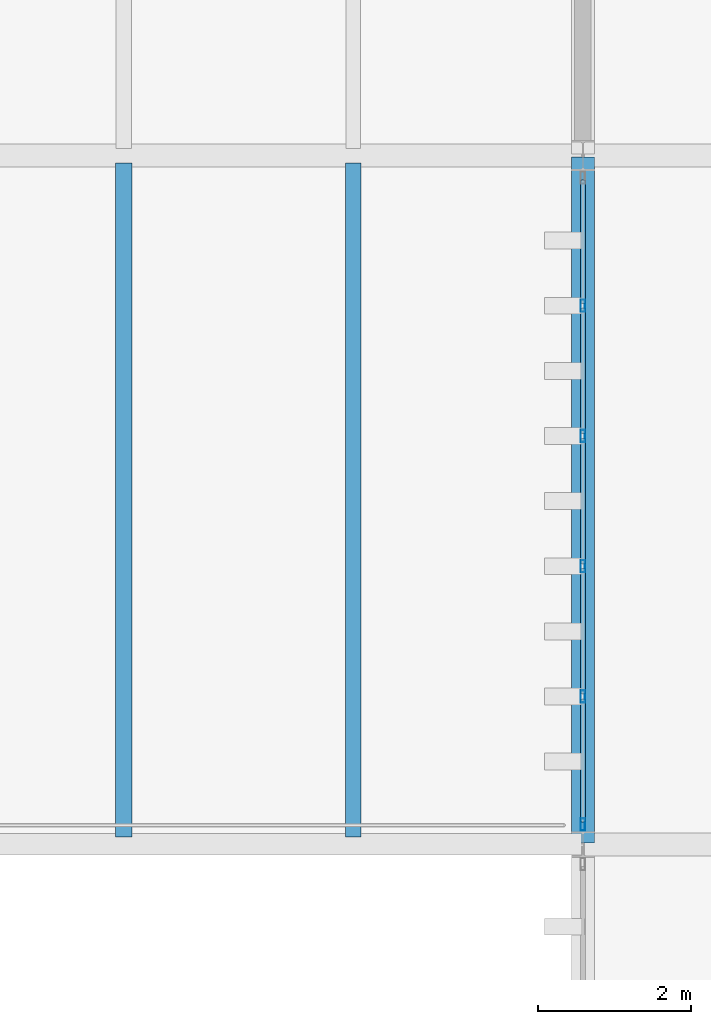
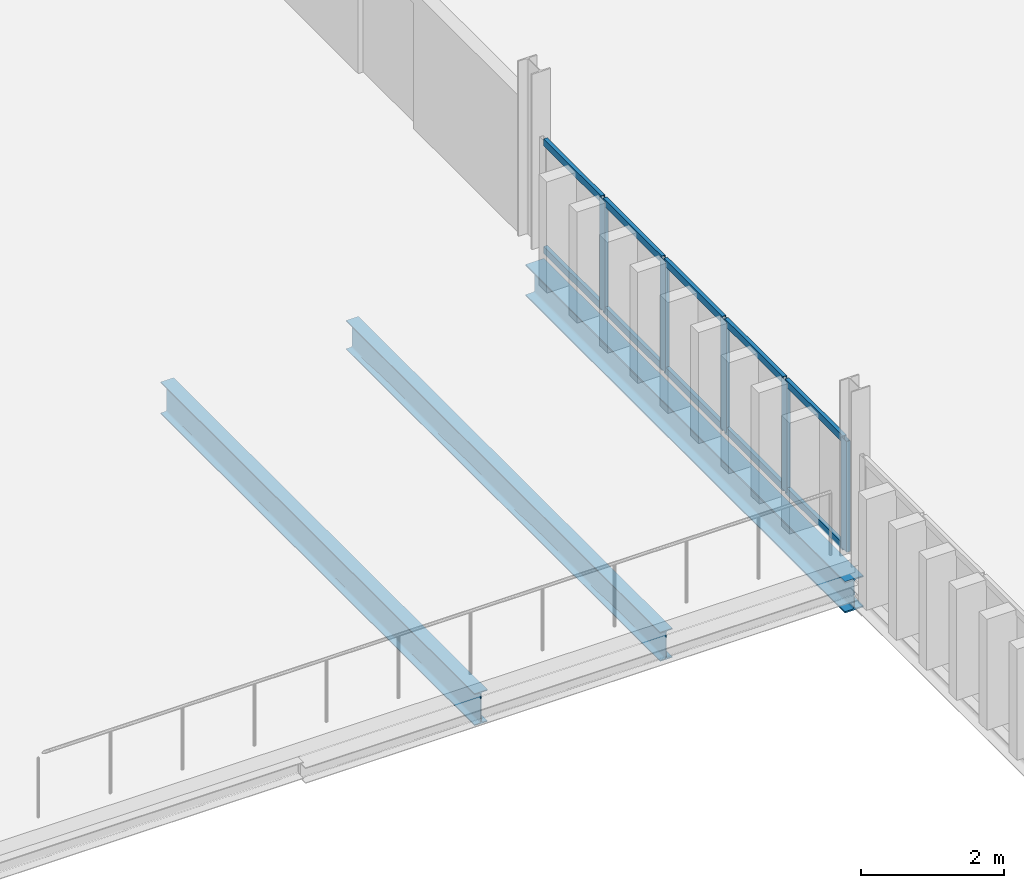
# One storey, part 15 of 58: 15 members, 3 beams, 1 element without a shape of its own.
"""IFC4 building model written with IfcOpenShell, lengths in metres."""

from ifc_helpers import new_model, si_unit, direction, frame, origin, origin_2d, place, context, subcontext, project, spatial, hollow_rectangle, i_section, extrude, material, layer, layer_set, material_profile, profile_set, type_object, element, aggregate, save


model = new_model("IFC4")

# Units and contexts
model_context = context("Model", 3, precision=1e-05, world=origin(), true_north=direction((0.0, 1.0)))
body_context = subcontext(model_context, "Body", "Model", "MODEL_VIEW")
ifc_project = project(units=[si_unit("LENGTHUNIT", "METRE"), si_unit("AREAUNIT", "SQUARE_METRE"), si_unit("VOLUMEUNIT", "CUBIC_METRE"), si_unit("PLANEANGLEUNIT", "RADIAN"), si_unit("MASSUNIT", "GRAM", prefix="KILO")], contexts=[model_context])

# Site, building, storey
site_placement = place(None, origin())
site = spatial("IfcSite", under=ifc_project, at=site_placement, CompositionType="ELEMENT")
building_placement = place(site_placement, origin())
building = spatial("IfcBuilding", under=site, at=building_placement, Name="Barlavento Convention Centre", CompositionType="ELEMENT")
storey_placement = place(building_placement, frame((0.0, 0.0, 26.800048828125)))
storey = spatial("IfcBuildingStorey", under=building, at=storey_placement, Name="L05", CompositionType="ELEMENT", Elevation=26.800048828125)

# Curtain wall, members
ifc_material_1 = material(Name="Powder-coated aluminium and Low-E glass", Category="aluminium")
ifc_layer = layer(ifc_material_1, 0.18994140625)
ifc_layer_set = layer_set([ifc_layer], Name="ARC-CW-CONF-L05")
curtain_wall_type = type_object("IfcCurtainWallType", Name="ARC-CW-CONF-L05", PredefinedType="NOTDEFINED", material=ifc_layer_set)
curtain_wall_placement = place(storey_placement, origin())
curtain_wall = element("IfcCurtainWall", 1, at=curtain_wall_placement, inside=storey, type_object=curtain_wall_type, Name="L05 unitised curtain wall CW10", PredefinedType="NOTDEFINED")
ifc_material_2 = material(Name="Powder-coated aluminium", Category="aluminium")
ifc_material_profile_1 = material_profile(ifc_material_2, hollow_rectangle(XDim=0.06005859375, YDim=0.159912109375, WallThickness=0.00390625, at=origin_2d()), Name="AL-MULL 60x160x4")
ifc_profile_set_1 = profile_set([ifc_material_profile_1], Name="Powder-coated aluminium")
member_type_1 = type_object("IfcMemberType", Name="ARC-CWM-60X160", PredefinedType="MULLION", material=ifc_profile_set_1)
member_1_placement = place(storey_placement, frame((171.0, 36.260009765625, 0.0), z_axis=(0.0, 0.0, 1.0), x_axis=(-1.0, 0.0, 0.0)))
member_1 = element("IfcMember", 2, at=member_1_placement, type_object=member_type_1, Name="CW10 mullion 1", PredefinedType="MULLION", context=body_context, shape_type="SweptSolid", body=[
    extrude(hollow_rectangle(XDim=0.06005859375, YDim=0.159912109375, WallThickness=0.00390625, at=origin_2d()), origin(), (0.0, 0.0, 1.0), 1.89990234375),
])
member_2_placement = place(storey_placement, frame((171.0, 37.931884765625, 0.0), z_axis=(0.0, 0.0, 1.0), x_axis=(-1.0, 0.0, 0.0)))
member_2 = element("IfcMember", 3, at=member_2_placement, type_object=member_type_1, Name="CW10 mullion 2", PredefinedType="MULLION", context=body_context, shape_type="SweptSolid", body=[
    extrude(hollow_rectangle(XDim=0.06005859375, YDim=0.159912109375, WallThickness=0.00390625, at=origin_2d()), origin(), (0.0, 0.0, 1.0), 1.89990234375),
])
member_3_placement = place(storey_placement, frame((171.0, 39.634033203125, 0.0), z_axis=(0.0, 0.0, 1.0), x_axis=(-1.0, 0.0, 0.0)))
member_3 = element("IfcMember", 4, at=member_3_placement, type_object=member_type_1, Name="CW10 mullion 3", PredefinedType="MULLION", context=body_context, shape_type="SweptSolid", body=[
    extrude(hollow_rectangle(XDim=0.06005859375, YDim=0.159912109375, WallThickness=0.00390625, at=origin_2d()), origin(), (0.0, 0.0, 1.0), 1.89990234375),
])
member_4_placement = place(storey_placement, frame((171.0, 41.3359375, 0.0), z_axis=(0.0, 0.0, 1.0), x_axis=(-1.0, 0.0, 0.0)))
member_4 = element("IfcMember", 5, at=member_4_placement, type_object=member_type_1, Name="CW10 mullion 4", PredefinedType="MULLION", context=body_context, shape_type="SweptSolid", body=[
    extrude(hollow_rectangle(XDim=0.06005859375, YDim=0.159912109375, WallThickness=0.00390625, at=origin_2d()), origin(), (0.0, 0.0, 1.0), 1.89990234375),
])
member_5_placement = place(storey_placement, frame((171.0, 43.0380859375, 0.0), z_axis=(0.0, 0.0, 1.0), x_axis=(-1.0, 0.0, 0.0)))
member_5 = element("IfcMember", 6, at=member_5_placement, type_object=member_type_1, Name="CW10 mullion 5", PredefinedType="MULLION", context=body_context, shape_type="SweptSolid", body=[
    extrude(hollow_rectangle(XDim=0.06005859375, YDim=0.159912109375, WallThickness=0.00390625, at=origin_2d()), origin(), (0.0, 0.0, 1.0), 1.89990234375),
])
ifc_material_profile_2 = material_profile(ifc_material_2, hollow_rectangle(XDim=0.06005859375, YDim=0.1201171875, WallThickness=0.00390625, at=origin_2d()), Name="AL-TRAN 60x120x4")
ifc_profile_set_2 = profile_set([ifc_material_profile_2], Name="Powder-coated aluminium")
member_type_2 = type_object("IfcMemberType", Name="ARC-CWT-60X120", PredefinedType="USERDEFINED", material=ifc_profile_set_2)
member_6_placement = place(storey_placement, frame((171.0, 36.2900390625, 0.030029296875), z_axis=(0.0, 1.0, 0.0), x_axis=(-1.0, 0.0, 0.0)))
member_6 = element("IfcMember", 7, at=member_6_placement, type_object=member_type_2, Name="CW10 transom 1.1", ObjectType="TRANSOM", PredefinedType="USERDEFINED", context=body_context, shape_type="SweptSolid", body=[
    extrude(hollow_rectangle(XDim=0.06005859375, YDim=0.1201171875, WallThickness=0.00390625, at=origin_2d()), origin(), (0.0, 0.0, 1.0), 1.612060546875),
])
member_7_placement = place(storey_placement, frame((171.0, 36.2900390625, 1.869873046875), z_axis=(0.0, 1.0, 0.0), x_axis=(-1.0, 0.0, 0.0)))
member_7 = element("IfcMember", 8, at=member_7_placement, type_object=member_type_2, Name="CW10 transom 1.2", ObjectType="TRANSOM", PredefinedType="USERDEFINED", context=body_context, shape_type="SweptSolid", body=[
    extrude(hollow_rectangle(XDim=0.06005859375, YDim=0.1201171875, WallThickness=0.00390625, at=origin_2d()), origin(), (0.0, 0.0, 1.0), 1.612060546875),
])
member_8_placement = place(storey_placement, frame((171.0, 37.9619140625, 0.030029296875), z_axis=(0.0, 1.0, 0.0), x_axis=(-1.0, 0.0, 0.0)))
member_8 = element("IfcMember", 9, at=member_8_placement, type_object=member_type_2, Name="CW10 transom 2.1", ObjectType="TRANSOM", PredefinedType="USERDEFINED", context=body_context, shape_type="SweptSolid", body=[
    extrude(hollow_rectangle(XDim=0.06005859375, YDim=0.1201171875, WallThickness=0.00390625, at=origin_2d()), origin(), (0.0, 0.0, 1.0), 1.64208984375),
])
member_9_placement = place(storey_placement, frame((171.0, 37.9619140625, 1.869873046875), z_axis=(0.0, 1.0, 0.0), x_axis=(-1.0, 0.0, 0.0)))
member_9 = element("IfcMember", 10, at=member_9_placement, type_object=member_type_2, Name="CW10 transom 2.2", ObjectType="TRANSOM", PredefinedType="USERDEFINED", context=body_context, shape_type="SweptSolid", body=[
    extrude(hollow_rectangle(XDim=0.06005859375, YDim=0.1201171875, WallThickness=0.00390625, at=origin_2d()), origin(), (0.0, 0.0, 1.0), 1.64208984375),
])
member_10_placement = place(storey_placement, frame((171.0, 39.6640625, 0.030029296875), z_axis=(0.0, 1.0, 0.0), x_axis=(-1.0, 0.0, 0.0)))
member_10 = element("IfcMember", 11, at=member_10_placement, type_object=member_type_2, Name="CW10 transom 3.1", ObjectType="TRANSOM", PredefinedType="USERDEFINED", context=body_context, shape_type="SweptSolid", body=[
    extrude(hollow_rectangle(XDim=0.06005859375, YDim=0.1201171875, WallThickness=0.00390625, at=origin_2d()), origin(), (0.0, 0.0, 1.0), 1.641845703125),
])
member_11_placement = place(storey_placement, frame((171.0, 39.6640625, 1.869873046875), z_axis=(0.0, 1.0, 0.0), x_axis=(-1.0, 0.0, 0.0)))
member_11 = element("IfcMember", 12, at=member_11_placement, type_object=member_type_2, Name="CW10 transom 3.2", ObjectType="TRANSOM", PredefinedType="USERDEFINED", context=body_context, shape_type="SweptSolid", body=[
    extrude(hollow_rectangle(XDim=0.06005859375, YDim=0.1201171875, WallThickness=0.00390625, at=origin_2d()), origin(), (0.0, 0.0, 1.0), 1.641845703125),
])
member_12_placement = place(storey_placement, frame((171.0, 41.365966796875, 0.030029296875), z_axis=(0.0, 1.0, 0.0), x_axis=(-1.0, 0.0, 0.0)))
member_12 = element("IfcMember", 13, at=member_12_placement, type_object=member_type_2, Name="CW10 transom 4.1", ObjectType="TRANSOM", PredefinedType="USERDEFINED", context=body_context, shape_type="SweptSolid", body=[
    extrude(hollow_rectangle(XDim=0.06005859375, YDim=0.1201171875, WallThickness=0.00390625, at=origin_2d()), origin(), (0.0, 0.0, 1.0), 1.64208984375),
])
member_13_placement = place(storey_placement, frame((171.0, 41.365966796875, 1.869873046875), z_axis=(0.0, 1.0, 0.0), x_axis=(-1.0, 0.0, 0.0)))
member_13 = element("IfcMember", 14, at=member_13_placement, type_object=member_type_2, Name="CW10 transom 4.2", ObjectType="TRANSOM", PredefinedType="USERDEFINED", context=body_context, shape_type="SweptSolid", body=[
    extrude(hollow_rectangle(XDim=0.06005859375, YDim=0.1201171875, WallThickness=0.00390625, at=origin_2d()), origin(), (0.0, 0.0, 1.0), 1.64208984375),
])
member_14_placement = place(storey_placement, frame((171.0, 43.068115234375, 0.030029296875), z_axis=(0.0, 1.0, 0.0), x_axis=(-1.0, 0.0, 0.0)))
member_14 = element("IfcMember", 15, at=member_14_placement, type_object=member_type_2, Name="CW10 transom 5.1", ObjectType="TRANSOM", PredefinedType="USERDEFINED", context=body_context, shape_type="SweptSolid", body=[
    extrude(hollow_rectangle(XDim=0.06005859375, YDim=0.1201171875, WallThickness=0.00390625, at=origin_2d()), origin(), (0.0, 0.0, 1.0), 1.61181640625),
])
member_15_placement = place(storey_placement, frame((171.0, 43.068115234375, 1.869873046875), z_axis=(0.0, 1.0, 0.0), x_axis=(-1.0, 0.0, 0.0)))
member_15 = element("IfcMember", 16, at=member_15_placement, type_object=member_type_2, Name="CW10 transom 5.2", ObjectType="TRANSOM", PredefinedType="USERDEFINED", context=body_context, shape_type="SweptSolid", body=[
    extrude(hollow_rectangle(XDim=0.06005859375, YDim=0.1201171875, WallThickness=0.00390625, at=origin_2d()), origin(), (0.0, 0.0, 1.0), 1.61181640625),
])
aggregate(curtain_wall, [member_1, member_2, member_3, member_4, member_5, member_6, member_7, member_8, member_9, member_10, member_11, member_12, member_13, member_14, member_15])

# Beams
ifc_material_3 = material(Name="Steel S355", Category="steel")
ifc_material_profile_3 = material_profile(ifc_material_3, i_section(OverallWidth=0.199951171875, OverallDepth=0.5, WebThickness=0.01025390625, FlangeThickness=0.01611328125, FilletRadius=0.02099609375, at=origin_2d()), Name="IPE 500")
ifc_profile_set_3 = profile_set([ifc_material_profile_3], Name="Steel S355")
beam_type_1 = type_object("IfcBeamType", Name="STR-BM-JST-IPE500", PredefinedType="JOIST", material=ifc_profile_set_3)
beam_1_placement = place(storey_placement, frame((168.0, 36.094970703125, -0.489990234375), z_axis=(0.0, 1.0, 0.0), x_axis=(-1.0, 0.0, 0.0)))
element("IfcBeam", 17, at=beam_1_placement, inside=storey, type_object=beam_type_1, Name="L05 composite floor joist SJ02", PredefinedType="JOIST", context=body_context, shape_type="SweptSolid", body=[
    extrude(i_section(OverallWidth=0.199951171875, OverallDepth=0.5, WebThickness=0.01025390625, FlangeThickness=0.01611328125, FilletRadius=0.02099609375, at=origin_2d()), origin(), (0.0, 0.0, 1.0), 8.81005859375),
])
ifc_material_profile_4 = material_profile(ifc_material_3, i_section(OverallWidth=0.2099609375, OverallDepth=0.550048828125, WebThickness=0.010986328125, FlangeThickness=0.01708984375, FilletRadius=0.02392578125, at=origin_2d()), Name="IPE 550")
ifc_profile_set_4 = profile_set([ifc_material_profile_4], Name="Steel S355")
beam_type_2 = type_object("IfcBeamType", Name="STR-BM-JST-IPE550", PredefinedType="JOIST", material=ifc_profile_set_4)
beam_2_placement = place(storey_placement, frame((165.0, 36.094970703125, -0.51513671875), z_axis=(0.0, 1.0, 0.0), x_axis=(-1.0, 0.0, 0.0)))
element("IfcBeam", 18, at=beam_2_placement, inside=storey, type_object=beam_type_2, Name="L05 composite floor joist SJ01", PredefinedType="JOIST", context=body_context, shape_type="SweptSolid", body=[
    extrude(i_section(OverallWidth=0.2099609375, OverallDepth=0.550048828125, WebThickness=0.010986328125, FlangeThickness=0.01708984375, FilletRadius=0.02392578125, at=origin_2d()), origin(), (0.0, 0.0, 1.0), 8.81005859375),
])
ifc_material_profile_5 = material_profile(ifc_material_3, i_section(OverallWidth=0.300048828125, OverallDepth=0.5400390625, WebThickness=0.012451171875, FlangeThickness=0.02392578125, FilletRadius=0.027099609375, at=origin_2d()), Name="HEA 550")
ifc_profile_set_5 = profile_set([ifc_material_profile_5], Name="Steel S355")
beam_type_3 = type_object("IfcBeamType", Name="STR-BM-PRI-HEA550", PredefinedType="BEAM", material=ifc_profile_set_5)
beam_3_placement = place(storey_placement, frame((171.0, 36.02001953125, -0.630126953125), z_axis=(0.0, 1.0, 0.0), x_axis=(-1.0, 0.0, 0.0)))
element("IfcBeam", 19, at=beam_3_placement, inside=storey, type_object=beam_type_3, Name="L05 grid girder BG19", PredefinedType="BEAM", context=body_context, shape_type="SweptSolid", body=[
    extrude(i_section(OverallWidth=0.300048828125, OverallDepth=0.5400390625, WebThickness=0.012451171875, FlangeThickness=0.02392578125, FilletRadius=0.027099609375, at=origin_2d()), origin(), (0.0, 0.0, 1.0), 8.9599609375),
])

save(model, "model.ifc")
